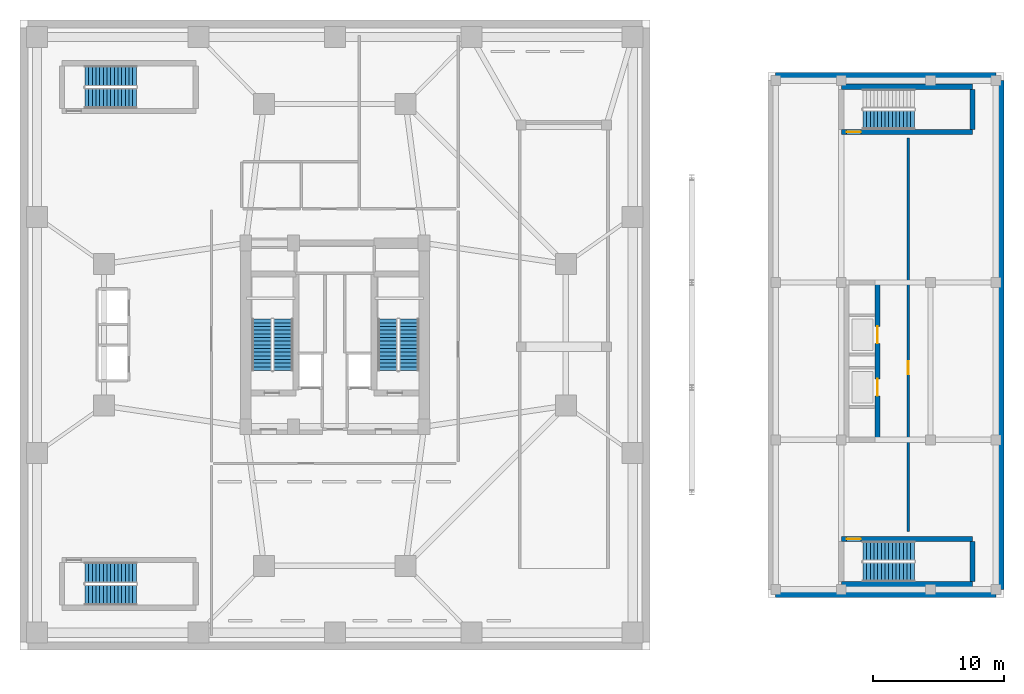
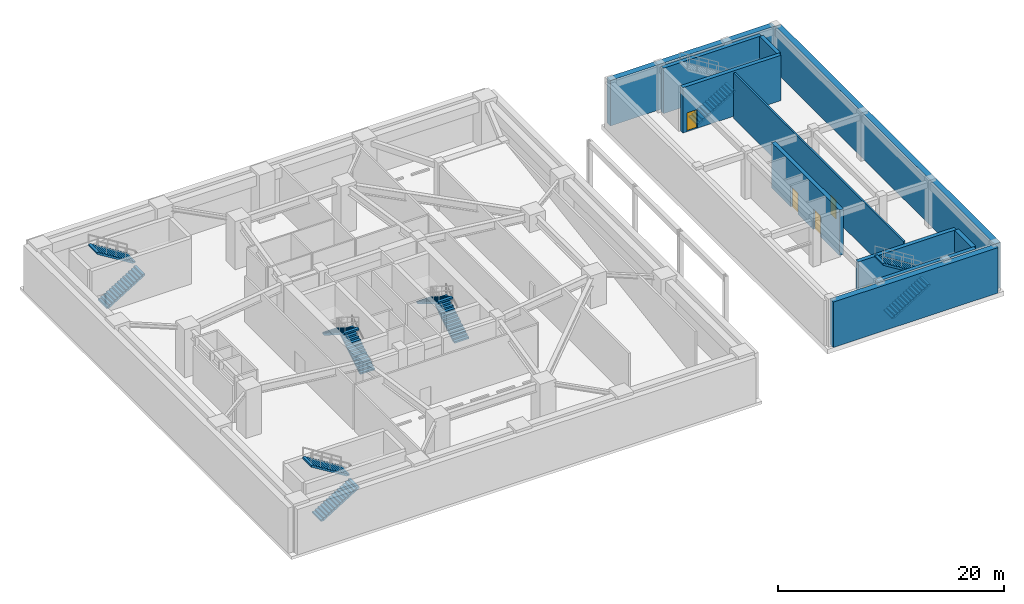
# One storey, part 7 of 13: 11 stair flights, 11 walls, 5 doors, 5 openings, 6 elements without a shape of their own.
"""IFC4 building model written with IfcOpenShell, lengths in metres."""

from ifc_helpers import new_model, si_unit, direction, frame, frame_2d, origin, place, context, subcontext, project, spatial, polyline, rectangle, outline, extrude, source, transform, mapped, material, layer, layer_set, type_object, element, fill, aggregate, save


model = new_model("IFC4")

# Units and contexts
model_context = context("Model", 3, precision=1e-05, world=origin(), true_north=direction((0.0, 1.0)))
body_context = subcontext(model_context, "Body", "Model", "MODEL_VIEW")
ifc_project = project(units=[si_unit("LENGTHUNIT", "METRE"), si_unit("AREAUNIT", "SQUARE_METRE"), si_unit("VOLUMEUNIT", "CUBIC_METRE"), si_unit("PLANEANGLEUNIT", "RADIAN"), si_unit("MASSUNIT", "GRAM", prefix="KILO")], contexts=[model_context])

# Site, building, storey
site_placement = place(None, origin())
site = spatial("IfcSite", under=ifc_project, at=site_placement, CompositionType="ELEMENT")
building_placement = place(site_placement, origin())
building = spatial("IfcBuilding", under=site, at=building_placement, Name="Veraguas Prism Commons", CompositionType="ELEMENT")
storey_placement = place(building_placement, frame((0.0, 0.0, -5.199951171875)))
storey = spatial("IfcBuildingStorey", under=building, at=storey_placement, Name="B1", CompositionType="ELEMENT", Elevation=-5.199951171875)

# Walls
ifc_material_1 = material(Name="Concrete C50/60", Category="concrete")
ifc_layer_1 = layer(ifc_material_1, 0.60009765625, Name="Basement Perimeter Retaining Wall RC 600", Category="concrete")
ifc_layer_set_1 = layer_set([ifc_layer_1], Name="Concrete C50/60")
wall_type_1 = type_object("IfcWallType", Name="Basement Perimeter Retaining Wall RC 600", PredefinedType="SOLIDWALL", material=ifc_layer_set_1)
wall_1_placement = place(storey_placement, frame((57.60009765625, 4.300048828125, 0.0), z_axis=(0.0, 0.0, 1.0), x_axis=(1.0, 0.0, 0.0)))
element("IfcWall", 1, at=wall_1_placement, inside=storey, type_object=wall_type_1, Name="Health Centre Substructure Retaining Wall B1-S", PredefinedType="SOLIDWALL", context=body_context, shape_type="SweptSolid", body=[
    extrude(rectangle(XDim=16.7998046875, YDim=0.60009765625, at=frame_2d((8.39990234375, 0.0))), origin(), (0.0, 0.0, 1.0), 4.89990234375),
])
wall_2_placement = place(storey_placement, frame((74.699951171875, 4.60009765625, 0.0), z_axis=(0.0, 0.0, 1.0), x_axis=(0.0, 1.0, 0.0)))
element("IfcWall", 2, at=wall_2_placement, inside=storey, type_object=wall_type_1, Name="Health Centre Substructure Retaining Wall B1-E", PredefinedType="SOLIDWALL", context=body_context, shape_type="SweptSolid", body=[
    extrude(rectangle(XDim=38.7998046875, YDim=0.60009765625, at=frame_2d((19.39990234375, 0.0))), origin(), (0.0, 0.0, 1.0), 4.89990234375),
])
wall_3_placement = place(storey_placement, frame((74.39990234375, 43.699951171875, 0.0), z_axis=(0.0, 0.0, 1.0), x_axis=(-1.0, 0.0, 0.0)))
element("IfcWall", 3, at=wall_3_placement, inside=storey, type_object=wall_type_1, Name="Health Centre Substructure Retaining Wall B1-N", PredefinedType="SOLIDWALL", context=body_context, shape_type="SweptSolid", body=[
    extrude(rectangle(XDim=16.7998046875, YDim=0.60009765625, at=frame_2d((8.39990234375, 0.0))), origin(), (0.0, 0.0, 1.0), 4.89990234375),
])

# Wall, openings, doors
ifc_layer_2 = layer(ifc_material_1, 0.39990234375, Name="Clinic and Mid Core Shear Wall RC 400", Category="concrete")
ifc_layer_set_2 = layer_set([ifc_layer_2], Name="Concrete C50/60")
wall_type_2 = type_object("IfcWallType", Name="Clinic and Mid Core Shear Wall RC 400", PredefinedType="SHEAR", material=ifc_layer_set_2)
wall_4_placement = place(storey_placement, frame((65.35009765625, 16.0, 0.0), z_axis=(0.0, 0.0, 1.0), x_axis=(0.0, 1.0, 0.0)))
wall_4 = element("IfcWall", 4, at=wall_4_placement, inside=storey, type_object=wall_type_2, Name="Health Centre Lift Core Front Shear Wall B1", PredefinedType="SHEAR", context=body_context, shape_type="SweptSolid", body=[
    extrude(rectangle(XDim=12.0, YDim=0.39990234375, at=frame_2d((6.0, 0.0))), origin(), (0.0, 0.0, 1.0), 4.89990234375),
])
opening_1_placement = place(wall_4_placement, frame((3.35009765625, 0.0, 0.0)))
opening_1 = element("IfcOpeningElement", 5, at=opening_1_placement, cuts=wall_4, Name="Opening LD-02", PredefinedType="OPENING", context=body_context, shape_type="SweptSolid", body=[
    extrude(rectangle(XDim=1.300048828125, YDim=2.25, at=frame_2d((0.64990234375, 1.125))), frame((0.0, 0.2099609375, 0.0), z_axis=(0.0, -1.0, 0.0), x_axis=(1.0, 0.0, 0.0)), (0.0, 0.0, 1.0), 0.419921875),
])
opening_2_placement = place(wall_4_placement, frame((7.35009765625, 0.0, 0.0)))
opening_2 = element("IfcOpeningElement", 6, at=opening_2_placement, cuts=wall_4, Name="Opening LD-02", PredefinedType="OPENING", context=body_context, shape_type="SweptSolid", body=[
    extrude(rectangle(XDim=1.300048828125, YDim=2.25, at=frame_2d((0.64990234375, 1.125))), frame((0.0, 0.2099609375, 0.0), z_axis=(0.0, -1.0, 0.0), x_axis=(1.0, 0.0, 0.0)), (0.0, 0.0, 1.0), 0.419921875),
])
ifc_material_2 = material(Name="Stainless steel AISI 316", Category="steel")
door_type_1 = type_object("IfcDoorType", Name="Firefighting Lift Sliding Landing Door 1300x2250", OperationType="NOTDEFINED", PredefinedType="DOOR", material=ifc_material_2)
shared_shape_1 = source(origin(), body_context, "Body", "SweptSolid", [
    extrude(rectangle(XDim=1.300048828125, YDim=2.25, at=frame_2d((0.64990234375, 1.125))), frame((0.0, 0.02490234375, 0.0), z_axis=(0.0, -1.0, 0.0), x_axis=(1.0, 0.0, 0.0)), (0.0, 0.0, 1.0), 0.050048828125),
])
door_1_placement = place(opening_1_placement, origin())
door_1 = element("IfcDoor", 7, at=door_1_placement, inside=storey, type_object=door_type_1, Name="Health Centre Lift CL-1 Door B1", OperationType="SLIDING_TO_LEFT", OverallHeight=2.25, OverallWidth=1.300048828125, PredefinedType="DOOR", context=body_context, shape_type="MappedRepresentation", body=[
    mapped(shared_shape_1, transform((0.0, 0.0, 0.0), scale=1.0)),
])
fill(opening_1, door_1)
door_2_placement = place(opening_2_placement, origin())
door_2 = element("IfcDoor", 8, at=door_2_placement, inside=storey, type_object=door_type_1, Name="Health Centre Lift CL-2 Door B1", OperationType="SLIDING_TO_LEFT", OverallHeight=2.25, OverallWidth=1.300048828125, PredefinedType="DOOR", context=body_context, shape_type="MappedRepresentation", body=[
    mapped(shared_shape_1, transform((0.0, 0.0, 0.0), scale=1.0)),
])
fill(opening_2, door_2)

# Wall
wall_5_placement = place(storey_placement, frame((62.60009765625, 5.0, 0.0), z_axis=(0.0, 0.0, 1.0), x_axis=(1.0, 0.0, 0.0)))
element("IfcWall", 9, at=wall_5_placement, inside=storey, type_object=wall_type_2, Name="ST-H1 South Shear Wall B1", PredefinedType="SHEAR", context=body_context, shape_type="SweptSolid", body=[
    extrude(rectangle(XDim=10.0, YDim=0.39990234375, at=frame_2d((5.0, 0.0))), origin(), (0.0, 0.0, 1.0), 4.89990234375),
])

# Wall, opening, door
wall_6_placement = place(storey_placement, frame((62.60009765625, 8.449951171875, 0.0), z_axis=(0.0, 0.0, 1.0), x_axis=(1.0, 0.0, 0.0)))
wall_6 = element("IfcWall", 10, at=wall_6_placement, inside=storey, type_object=wall_type_2, Name="ST-H1 North Shear Wall B1", PredefinedType="SHEAR", context=body_context, shape_type="SweptSolid", body=[
    extrude(rectangle(XDim=10.0, YDim=0.39990234375, at=frame_2d((5.0, 0.0))), origin(), (0.0, 0.0, 1.0), 4.89990234375),
])
opening_3_placement = place(wall_6_placement, frame((0.39990234375, 0.0, 0.0)))
opening_3 = element("IfcOpeningElement", 11, at=opening_3_placement, cuts=wall_6, Name="Opening DR-05", PredefinedType="OPENING", context=body_context, shape_type="SweptSolid", body=[
    extrude(rectangle(XDim=1.10009765625, YDim=2.030029296875, at=frame_2d((0.550048828125, 1.01513671875))), frame((0.0, 0.2099609375, 0.0), z_axis=(0.0, -1.0, 0.0), x_axis=(1.0, 0.0, 0.0)), (0.0, 0.0, 1.0), 0.419921875),
])
ifc_material_3 = material(Name="Steel fire-rated door assembly", Category="steel")
door_type_2 = type_object("IfcDoorType", Name="Protected Stair and Refuge Fire Door 1100x2030", OperationType="NOTDEFINED", PredefinedType="DOOR", material=ifc_material_3)
shared_shape_2 = source(origin(), body_context, "Body", "SweptSolid", [
    extrude(rectangle(XDim=1.10009765625, YDim=2.030029296875, at=frame_2d((0.550048828125, 1.01513671875))), frame((0.0, 0.02490234375, 0.0), z_axis=(0.0, -1.0, 0.0), x_axis=(1.0, 0.0, 0.0)), (0.0, 0.0, 1.0), 0.050048828125),
])
door_3_placement = place(opening_3_placement, origin())
door_3 = element("IfcDoor", 12, at=door_3_placement, inside=storey, type_object=door_type_2, Name="Health Centre Stair ST-H1 Door B1", OperationType="SINGLE_SWING_LEFT", OverallHeight=2.030029296875, OverallWidth=1.10009765625, PredefinedType="DOOR", context=body_context, shape_type="MappedRepresentation", body=[
    mapped(shared_shape_2, transform((0.0, 0.0, 0.0), scale=1.0)),
])
fill(opening_3, door_3)

# Wall
wall_7_placement = place(storey_placement, frame((72.60009765625, 5.199951171875, 0.0), z_axis=(0.0, 0.0, 1.0), x_axis=(0.0, 1.0, 0.0)))
element("IfcWall", 13, at=wall_7_placement, inside=storey, type_object=wall_type_2, Name="ST-H1 East Shear Wall B1", PredefinedType="SHEAR", context=body_context, shape_type="SweptSolid", body=[
    extrude(rectangle(XDim=3.050048828125, YDim=0.39990234375, at=frame_2d((1.52490234375, 0.0))), origin(), (0.0, 0.0, 1.0), 4.89990234375),
])

# Wall, opening, door
wall_8_placement = place(storey_placement, frame((62.60009765625, 39.4599609375, 0.0), z_axis=(0.0, 0.0, 1.0), x_axis=(1.0, 0.0, 0.0)))
wall_8 = element("IfcWall", 14, at=wall_8_placement, inside=storey, type_object=wall_type_2, Name="ST-H2 South Shear Wall B1", PredefinedType="SHEAR", context=body_context, shape_type="SweptSolid", body=[
    extrude(rectangle(XDim=10.0, YDim=0.39990234375, at=frame_2d((5.0, 0.0))), origin(), (0.0, 0.0, 1.0), 4.89990234375),
])
opening_4_placement = place(wall_8_placement, frame((0.39990234375, 0.0, 0.0)))
opening_4 = element("IfcOpeningElement", 15, at=opening_4_placement, cuts=wall_8, Name="Opening DR-05", PredefinedType="OPENING", context=body_context, shape_type="SweptSolid", body=[
    extrude(rectangle(XDim=1.10009765625, YDim=2.030029296875, at=frame_2d((0.550048828125, 1.01513671875))), frame((0.0, 0.2099609375, 0.0), z_axis=(0.0, -1.0, 0.0), x_axis=(1.0, 0.0, 0.0)), (0.0, 0.0, 1.0), 0.419921875),
])
door_4_placement = place(opening_4_placement, origin())
door_4 = element("IfcDoor", 16, at=door_4_placement, inside=storey, type_object=door_type_2, Name="Health Centre Stair ST-H2 Door B1", OperationType="SINGLE_SWING_RIGHT", OverallHeight=2.030029296875, OverallWidth=1.10009765625, PredefinedType="DOOR", context=body_context, shape_type="MappedRepresentation", body=[
    mapped(shared_shape_2, transform((0.0, 0.0, 0.0), scale=1.0)),
])
fill(opening_4, door_4)

# Walls
wall_9_placement = place(storey_placement, frame((62.60009765625, 42.909912109375, 0.0), z_axis=(0.0, 0.0, 1.0), x_axis=(1.0, 0.0, 0.0)))
element("IfcWall", 17, at=wall_9_placement, inside=storey, type_object=wall_type_2, Name="ST-H2 North Shear Wall B1", PredefinedType="SHEAR", context=body_context, shape_type="SweptSolid", body=[
    extrude(rectangle(XDim=10.0, YDim=0.39990234375, at=frame_2d((5.0, 0.0))), origin(), (0.0, 0.0, 1.0), 4.89990234375),
])
wall_10_placement = place(storey_placement, frame((72.60009765625, 39.659912109375, 0.0), z_axis=(0.0, 0.0, 1.0), x_axis=(0.0, 1.0, 0.0)))
element("IfcWall", 18, at=wall_10_placement, inside=storey, type_object=wall_type_2, Name="ST-H2 East Shear Wall B1", PredefinedType="SHEAR", context=body_context, shape_type="SweptSolid", body=[
    extrude(rectangle(XDim=3.050048828125, YDim=0.39990234375, at=frame_2d((1.52490234375, 0.0))), origin(), (0.0, 0.0, 1.0), 4.89990234375),
])

# Wall, opening, door
ifc_material_4 = material(Name="Autoclaved aerated masonry block 10 MPa", Category="masonry")
ifc_layer_3 = layer(ifc_material_4, 0.179931640625, Name="Corridor and Inter-Tenancy Partition 180", Category="masonry")
ifc_layer_set_3 = layer_set([ifc_layer_3], Name="Autoclaved aerated masonry block 10 MPa")
wall_type_3 = type_object("IfcWallType", Name="Corridor and Inter-Tenancy Partition 180", PredefinedType="PARTITIONING", material=ifc_layer_set_3)
wall_11_placement = place(storey_placement, frame((67.699951171875, 9.0, 0.0), z_axis=(0.0, 0.0, 1.0), x_axis=(0.0, 1.0, 0.0)))
wall_11 = element("IfcWall", 19, at=wall_11_placement, inside=storey, type_object=wall_type_3, Name="WL-B1-HCPT1", PredefinedType="PARTITIONING", context=body_context, shape_type="SweptSolid", body=[
    extrude(rectangle(XDim=30.0, YDim=0.179931640625, at=frame_2d((15.0, 0.0))), origin(), (0.0, 0.0, 1.0), 4.89990234375),
])
opening_5_placement = place(wall_11_placement, frame((12.0, 0.0, 0.0)))
opening_5 = element("IfcOpeningElement", 20, at=opening_5_placement, cuts=wall_11, Name="Opening DR-13", PredefinedType="OPENING", context=body_context, shape_type="SweptSolid", body=[
    extrude(rectangle(XDim=1.0, YDim=2.010009765625, at=frame_2d((0.5, 1.0048828125))), frame((0.0, 0.099853515625, 0.0), z_axis=(0.0, -1.0, 0.0), x_axis=(1.0, 0.0, 0.0)), (0.0, 0.0, 1.0), 0.199951171875),
])
door_type_3 = type_object("IfcDoorType", Name="Core Accessible WC and Clinic Fire Door 1000x2010", OperationType="NOTDEFINED", PredefinedType="DOOR", material=ifc_material_3)
shared_shape_3 = source(origin(), body_context, "Body", "SweptSolid", [
    extrude(rectangle(XDim=1.0, YDim=2.010009765625, at=frame_2d((0.5, 1.0048828125))), frame((0.0, 0.02490234375, 0.0), z_axis=(0.0, -1.0, 0.0), x_axis=(1.0, 0.0, 0.0)), (0.0, 0.0, 1.0), 0.050048828125),
])
door_5_placement = place(opening_5_placement, origin())
door_5 = element("IfcDoor", 21, at=door_5_placement, inside=storey, type_object=door_type_3, Name="Sterile Supply Store Door B1", OperationType="SINGLE_SWING_LEFT", OverallHeight=2.010009765625, OverallWidth=1.0, PredefinedType="DOOR", context=body_context, shape_type="MappedRepresentation", body=[
    mapped(shared_shape_3, transform((0.0, 0.0, 0.0), scale=1.0)),
])
fill(opening_5, door_5)

# Stair, stair flights
ifc_material_5 = material(Name="Precast concrete C45/55", Category="concrete")
stair_type_1 = type_object("IfcStairType", Name="Dogleg Core Stair 1450W 30R 13", PredefinedType="HALF_TURN_STAIR", material=ifc_material_5)
stair_1_placement = place(storey_placement, origin())
stair_1 = element("IfcStair", 22, at=stair_1_placement, inside=storey, type_object=stair_type_1, Name="Protected Exit Stair ST-H1 B1", PredefinedType="HALF_TURN_STAIR")
stair_flight_type_1 = type_object("IfcStairFlightType", Name="Precast Stair Flight 1450W 15R 13", PredefinedType="STRAIGHT", material=ifc_material_5)
stair_flight_1_placement = place(storey_placement, frame((64.25, 5.925048828125, 0.0), z_axis=(0.0, 0.0, 1.0), x_axis=(1.0, 0.0, 0.0)))
stair_flight_1 = element("IfcStairFlight", 23, at=stair_flight_1_placement, type_object=stair_flight_type_1, Name="ST-13 Flight 1", NumberOfRisers=15, NumberOfTreads=14, PredefinedType="STRAIGHT", RiserHeight=0.173333333, TreadLength=0.28, context=body_context, shape_type="SweptSolid", body=[
    extrude(outline(polyline([(0.0, 0.0), (0.0, 0.17333984375), (0.280029296875, 0.17333984375), (0.280029296875, 0.3466796875), (0.56005859375, 0.3466796875), (0.56005859375, 0.52001953125), (0.840087890625, 0.52001953125), (0.840087890625, 0.693359375), (1.1201171875, 0.693359375), (1.1201171875, 0.86669921875), (1.39990234375, 0.86669921875), (1.39990234375, 1.0400390625), (1.679931640625, 1.0400390625), (1.679931640625, 1.21337890625), (1.9599609375, 1.21337890625), (1.9599609375, 1.38671875), (2.239990234375, 1.38671875), (2.239990234375, 1.56005859375), (2.52001953125, 1.56005859375), (2.52001953125, 1.7333984375), (2.800048828125, 1.7333984375), (2.800048828125, 1.90673828125), (3.080078125, 1.90673828125), (3.080078125, 2.080078125), (3.360107421875, 2.080078125), (3.360107421875, 2.25341796875), (3.639892578125, 2.25341796875), (3.639892578125, 2.4267578125), (3.919921875, 2.4267578125), (3.919921875, 2.60009765625), (3.919921875, 2.250244140625), (0.284912109375, 0.0), (0.0, 0.0)])), frame((0.0, 0.72509765625, 0.0), z_axis=(0.0, -1.0, 0.0), x_axis=(1.0, 0.0, 0.0)), (0.0, 0.0, 1.0), 1.449951171875),
])
stair_flight_2_placement = place(storey_placement, frame((68.169921875, 7.52490234375, 2.599853515625), z_axis=(0.0, 0.0, 1.0), x_axis=(-1.0, 0.0, 0.0)))
stair_flight_2 = element("IfcStairFlight", 24, at=stair_flight_2_placement, type_object=stair_flight_type_1, Name="ST-13 Flight 2", NumberOfRisers=15, NumberOfTreads=14, PredefinedType="STRAIGHT", RiserHeight=0.173333333, TreadLength=0.28, context=body_context, shape_type="SweptSolid", body=[
    extrude(outline(polyline([(0.0, 0.0), (0.0, 0.17333984375), (0.280029296875, 0.17333984375), (0.280029296875, 0.3466796875), (0.56005859375, 0.3466796875), (0.56005859375, 0.52001953125), (0.840087890625, 0.52001953125), (0.840087890625, 0.693359375), (1.1201171875, 0.693359375), (1.1201171875, 0.86669921875), (1.39990234375, 0.86669921875), (1.39990234375, 1.0400390625), (1.679931640625, 1.0400390625), (1.679931640625, 1.21337890625), (1.9599609375, 1.21337890625), (1.9599609375, 1.38671875), (2.239990234375, 1.38671875), (2.239990234375, 1.56005859375), (2.52001953125, 1.56005859375), (2.52001953125, 1.7333984375), (2.800048828125, 1.7333984375), (2.800048828125, 1.90673828125), (3.080078125, 1.90673828125), (3.080078125, 2.080078125), (3.360107421875, 2.080078125), (3.360107421875, 2.25341796875), (3.639892578125, 2.25341796875), (3.639892578125, 2.4267578125), (3.919921875, 2.4267578125), (3.919921875, 2.60009765625), (3.919921875, 2.250244140625), (0.284912109375, 0.0), (0.0, 0.0)])), frame((0.0, 0.72509765625, 0.0), z_axis=(0.0, -1.0, 0.0), x_axis=(1.0, 0.0, 0.0)), (0.0, 0.0, 1.0), 1.449951171875),
])
aggregate(stair_1, [stair_flight_1, stair_flight_2])

# Stair, stair flight
stair_2_placement = place(storey_placement, origin())
stair_2 = element("IfcStair", 25, at=stair_2_placement, inside=storey, type_object=stair_type_1, Name="Protected Exit Stair ST-H2 B1", PredefinedType="HALF_TURN_STAIR")
stair_flight_3_placement = place(storey_placement, frame((64.25, 40.385009765625, 0.0), z_axis=(0.0, 0.0, 1.0), x_axis=(1.0, 0.0, 0.0)))
stair_flight_3 = element("IfcStairFlight", 26, at=stair_flight_3_placement, type_object=stair_flight_type_1, Name="ST-13 Flight 1", NumberOfRisers=15, NumberOfTreads=14, PredefinedType="STRAIGHT", RiserHeight=0.173333333, TreadLength=0.28, context=body_context, shape_type="SweptSolid", body=[
    extrude(outline(polyline([(0.0, 0.0), (0.0, 0.17333984375), (0.280029296875, 0.17333984375), (0.280029296875, 0.3466796875), (0.56005859375, 0.3466796875), (0.56005859375, 0.52001953125), (0.840087890625, 0.52001953125), (0.840087890625, 0.693359375), (1.1201171875, 0.693359375), (1.1201171875, 0.86669921875), (1.39990234375, 0.86669921875), (1.39990234375, 1.0400390625), (1.679931640625, 1.0400390625), (1.679931640625, 1.21337890625), (1.9599609375, 1.21337890625), (1.9599609375, 1.38671875), (2.239990234375, 1.38671875), (2.239990234375, 1.56005859375), (2.52001953125, 1.56005859375), (2.52001953125, 1.7333984375), (2.800048828125, 1.7333984375), (2.800048828125, 1.90673828125), (3.080078125, 1.90673828125), (3.080078125, 2.080078125), (3.360107421875, 2.080078125), (3.360107421875, 2.25341796875), (3.639892578125, 2.25341796875), (3.639892578125, 2.4267578125), (3.919921875, 2.4267578125), (3.919921875, 2.60009765625), (3.919921875, 2.250244140625), (0.284912109375, 0.0), (0.0, 0.0)])), frame((0.0, 0.72509765625, 0.0), z_axis=(0.0, -1.0, 0.0), x_axis=(1.0, 0.0, 0.0)), (0.0, 0.0, 1.0), 1.449951171875),
])
aggregate(stair_2, [stair_flight_3])

# Stair, stair flights
stair_type_2 = type_object("IfcStairType", Name="Dogleg Core Stair 1480W 30R 02", PredefinedType="HALF_TURN_STAIR", material=ifc_material_5)
stair_3_placement = place(storey_placement, origin())
stair_3 = element("IfcStair", 27, at=stair_3_placement, inside=storey, type_object=stair_type_2, Name="Protected Exit Stair ST-01 B1", PredefinedType="HALF_TURN_STAIR")
stair_flight_type_2 = type_object("IfcStairFlightType", Name="Precast Stair Flight 1480W 15R 02", PredefinedType="STRAIGHT", material=ifc_material_5)
stair_flight_4_placement = place(storey_placement, frame((20.06005859375, 21.280029296875, 0.0), z_axis=(0.0, 0.0, 1.0), x_axis=(0.0, 1.0, 0.0)))
stair_flight_4 = element("IfcStairFlight", 28, at=stair_flight_4_placement, type_object=stair_flight_type_2, Name="ST-02 Flight 1", NumberOfRisers=15, NumberOfTreads=14, PredefinedType="STRAIGHT", RiserHeight=0.173333333, TreadLength=0.28, context=body_context, shape_type="SweptSolid", body=[
    extrude(outline(polyline([(0.0, 0.0), (0.0, 0.17333984375), (0.280029296875, 0.17333984375), (0.280029296875, 0.3466796875), (0.56005859375, 0.3466796875), (0.56005859375, 0.52001953125), (0.840087890625, 0.52001953125), (0.840087890625, 0.693359375), (1.1201171875, 0.693359375), (1.1201171875, 0.86669921875), (1.39990234375, 0.86669921875), (1.39990234375, 1.0400390625), (1.679931640625, 1.0400390625), (1.679931640625, 1.21337890625), (1.9599609375, 1.21337890625), (1.9599609375, 1.38671875), (2.239990234375, 1.38671875), (2.239990234375, 1.56005859375), (2.52001953125, 1.56005859375), (2.52001953125, 1.7333984375), (2.800048828125, 1.7333984375), (2.800048828125, 1.90673828125), (3.080078125, 1.90673828125), (3.080078125, 2.080078125), (3.360107421875, 2.080078125), (3.360107421875, 2.25341796875), (3.639892578125, 2.25341796875), (3.639892578125, 2.4267578125), (3.919921875, 2.4267578125), (3.919921875, 2.60009765625), (3.919921875, 2.250244140625), (0.284912109375, 0.0), (0.0, 0.0)])), frame((0.0, 0.739990234375, 0.0), z_axis=(0.0, -1.0, 0.0), x_axis=(1.0, 0.0, 0.0)), (0.0, 0.0, 1.0), 1.47998046875),
])
stair_flight_5_placement = place(storey_placement, frame((18.429931640625, 25.199951171875, 2.599853515625), z_axis=(0.0, 0.0, 1.0), x_axis=(0.0, -1.0, 0.0)))
stair_flight_5 = element("IfcStairFlight", 29, at=stair_flight_5_placement, type_object=stair_flight_type_2, Name="ST-02 Flight 2", NumberOfRisers=15, NumberOfTreads=14, PredefinedType="STRAIGHT", RiserHeight=0.173333333, TreadLength=0.28, context=body_context, shape_type="SweptSolid", body=[
    extrude(outline(polyline([(0.0, 0.0), (0.0, 0.17333984375), (0.280029296875, 0.17333984375), (0.280029296875, 0.3466796875), (0.56005859375, 0.3466796875), (0.56005859375, 0.52001953125), (0.840087890625, 0.52001953125), (0.840087890625, 0.693359375), (1.1201171875, 0.693359375), (1.1201171875, 0.86669921875), (1.39990234375, 0.86669921875), (1.39990234375, 1.0400390625), (1.679931640625, 1.0400390625), (1.679931640625, 1.21337890625), (1.9599609375, 1.21337890625), (1.9599609375, 1.38671875), (2.239990234375, 1.38671875), (2.239990234375, 1.56005859375), (2.52001953125, 1.56005859375), (2.52001953125, 1.7333984375), (2.800048828125, 1.7333984375), (2.800048828125, 1.90673828125), (3.080078125, 1.90673828125), (3.080078125, 2.080078125), (3.360107421875, 2.080078125), (3.360107421875, 2.25341796875), (3.639892578125, 2.25341796875), (3.639892578125, 2.4267578125), (3.919921875, 2.4267578125), (3.919921875, 2.60009765625), (3.919921875, 2.250244140625), (0.284912109375, 0.0), (0.0, 0.0)])), frame((0.0, 0.739990234375, 0.0), z_axis=(0.0, -1.0, 0.0), x_axis=(1.0, 0.0, 0.0)), (0.0, 0.0, 1.0), 1.47998046875),
])
aggregate(stair_3, [stair_flight_4, stair_flight_5])

stair_4_placement = place(storey_placement, origin())
stair_4 = element("IfcStair", 30, at=stair_4_placement, inside=storey, type_object=stair_type_2, Name="Protected Exit Stair ST-02 B1", PredefinedType="HALF_TURN_STAIR")
stair_flight_6_placement = place(storey_placement, frame((29.659912109375, 21.280029296875, 0.0), z_axis=(0.0, 0.0, 1.0), x_axis=(0.0, 1.0, 0.0)))
stair_flight_6 = element("IfcStairFlight", 31, at=stair_flight_6_placement, type_object=stair_flight_type_2, Name="ST-02 Flight 1", NumberOfRisers=15, NumberOfTreads=14, PredefinedType="STRAIGHT", RiserHeight=0.173333333, TreadLength=0.28, context=body_context, shape_type="SweptSolid", body=[
    extrude(outline(polyline([(0.0, 0.0), (0.0, 0.17333984375), (0.280029296875, 0.17333984375), (0.280029296875, 0.3466796875), (0.56005859375, 0.3466796875), (0.56005859375, 0.52001953125), (0.840087890625, 0.52001953125), (0.840087890625, 0.693359375), (1.1201171875, 0.693359375), (1.1201171875, 0.86669921875), (1.39990234375, 0.86669921875), (1.39990234375, 1.0400390625), (1.679931640625, 1.0400390625), (1.679931640625, 1.21337890625), (1.9599609375, 1.21337890625), (1.9599609375, 1.38671875), (2.239990234375, 1.38671875), (2.239990234375, 1.56005859375), (2.52001953125, 1.56005859375), (2.52001953125, 1.7333984375), (2.800048828125, 1.7333984375), (2.800048828125, 1.90673828125), (3.080078125, 1.90673828125), (3.080078125, 2.080078125), (3.360107421875, 2.080078125), (3.360107421875, 2.25341796875), (3.639892578125, 2.25341796875), (3.639892578125, 2.4267578125), (3.919921875, 2.4267578125), (3.919921875, 2.60009765625), (3.919921875, 2.250244140625), (0.284912109375, 0.0), (0.0, 0.0)])), frame((0.0, 0.739990234375, 0.0), z_axis=(0.0, -1.0, 0.0), x_axis=(1.0, 0.0, 0.0)), (0.0, 0.0, 1.0), 1.47998046875),
])
stair_flight_7_placement = place(storey_placement, frame((28.030029296875, 25.199951171875, 2.599853515625), z_axis=(0.0, 0.0, 1.0), x_axis=(0.0, -1.0, 0.0)))
stair_flight_7 = element("IfcStairFlight", 32, at=stair_flight_7_placement, type_object=stair_flight_type_2, Name="ST-02 Flight 2", NumberOfRisers=15, NumberOfTreads=14, PredefinedType="STRAIGHT", RiserHeight=0.173333333, TreadLength=0.28, context=body_context, shape_type="SweptSolid", body=[
    extrude(outline(polyline([(0.0, 0.0), (0.0, 0.17333984375), (0.280029296875, 0.17333984375), (0.280029296875, 0.3466796875), (0.56005859375, 0.3466796875), (0.56005859375, 0.52001953125), (0.840087890625, 0.52001953125), (0.840087890625, 0.693359375), (1.1201171875, 0.693359375), (1.1201171875, 0.86669921875), (1.39990234375, 0.86669921875), (1.39990234375, 1.0400390625), (1.679931640625, 1.0400390625), (1.679931640625, 1.21337890625), (1.9599609375, 1.21337890625), (1.9599609375, 1.38671875), (2.239990234375, 1.38671875), (2.239990234375, 1.56005859375), (2.52001953125, 1.56005859375), (2.52001953125, 1.7333984375), (2.800048828125, 1.7333984375), (2.800048828125, 1.90673828125), (3.080078125, 1.90673828125), (3.080078125, 2.080078125), (3.360107421875, 2.080078125), (3.360107421875, 2.25341796875), (3.639892578125, 2.25341796875), (3.639892578125, 2.4267578125), (3.919921875, 2.4267578125), (3.919921875, 2.60009765625), (3.919921875, 2.250244140625), (0.284912109375, 0.0), (0.0, 0.0)])), frame((0.0, 0.739990234375, 0.0), z_axis=(0.0, -1.0, 0.0), x_axis=(1.0, 0.0, 0.0)), (0.0, 0.0, 1.0), 1.47998046875),
])
aggregate(stair_4, [stair_flight_6, stair_flight_7])

stair_type_3 = type_object("IfcStairType", Name="Dogleg Core Stair 1550W 30R 10", PredefinedType="HALF_TURN_STAIR", material=ifc_material_5)
stair_5_placement = place(storey_placement, origin())
stair_5 = element("IfcStair", 33, at=stair_5_placement, inside=storey, type_object=stair_type_3, Name="Protected Exit Stair ST-M1 B1", PredefinedType="HALF_TURN_STAIR")
stair_flight_type_3 = type_object("IfcStairFlightType", Name="Precast Stair Flight 1550W 15R 10", PredefinedType="STRAIGHT", material=ifc_material_5)
stair_flight_8_placement = place(storey_placement, frame((4.949951171875, 4.175048828125, 0.0), z_axis=(0.0, 0.0, 1.0), x_axis=(1.0, 0.0, 0.0)))
stair_flight_8 = element("IfcStairFlight", 34, at=stair_flight_8_placement, type_object=stair_flight_type_3, Name="ST-10 Flight 1", NumberOfRisers=15, NumberOfTreads=14, PredefinedType="STRAIGHT", RiserHeight=0.173333333, TreadLength=0.28, context=body_context, shape_type="SweptSolid", body=[
    extrude(outline(polyline([(0.0, 0.0), (0.0, 0.17333984375), (0.280029296875, 0.17333984375), (0.280029296875, 0.3466796875), (0.56005859375, 0.3466796875), (0.56005859375, 0.52001953125), (0.840087890625, 0.52001953125), (0.840087890625, 0.693359375), (1.1201171875, 0.693359375), (1.1201171875, 0.86669921875), (1.39990234375, 0.86669921875), (1.39990234375, 1.0400390625), (1.679931640625, 1.0400390625), (1.679931640625, 1.21337890625), (1.9599609375, 1.21337890625), (1.9599609375, 1.38671875), (2.239990234375, 1.38671875), (2.239990234375, 1.56005859375), (2.52001953125, 1.56005859375), (2.52001953125, 1.7333984375), (2.800048828125, 1.7333984375), (2.800048828125, 1.90673828125), (3.080078125, 1.90673828125), (3.080078125, 2.080078125), (3.360107421875, 2.080078125), (3.360107421875, 2.25341796875), (3.639892578125, 2.25341796875), (3.639892578125, 2.4267578125), (3.919921875, 2.4267578125), (3.919921875, 2.60009765625), (3.919921875, 2.250244140625), (0.284912109375, 0.0), (0.0, 0.0)])), frame((0.0, 0.77490234375, 0.0), z_axis=(0.0, -1.0, 0.0), x_axis=(1.0, 0.0, 0.0)), (0.0, 0.0, 1.0), 1.550048828125),
])
stair_flight_9_placement = place(storey_placement, frame((8.8701171875, 5.875, 2.599853515625), z_axis=(0.0, 0.0, 1.0), x_axis=(-1.0, 0.0, 0.0)))
stair_flight_9 = element("IfcStairFlight", 35, at=stair_flight_9_placement, type_object=stair_flight_type_3, Name="ST-10 Flight 2", NumberOfRisers=15, NumberOfTreads=14, PredefinedType="STRAIGHT", RiserHeight=0.173333333, TreadLength=0.28, context=body_context, shape_type="SweptSolid", body=[
    extrude(outline(polyline([(0.0, 0.0), (0.0, 0.17333984375), (0.280029296875, 0.17333984375), (0.280029296875, 0.3466796875), (0.56005859375, 0.3466796875), (0.56005859375, 0.52001953125), (0.840087890625, 0.52001953125), (0.840087890625, 0.693359375), (1.1201171875, 0.693359375), (1.1201171875, 0.86669921875), (1.39990234375, 0.86669921875), (1.39990234375, 1.0400390625), (1.679931640625, 1.0400390625), (1.679931640625, 1.21337890625), (1.9599609375, 1.21337890625), (1.9599609375, 1.38671875), (2.239990234375, 1.38671875), (2.239990234375, 1.56005859375), (2.52001953125, 1.56005859375), (2.52001953125, 1.7333984375), (2.800048828125, 1.7333984375), (2.800048828125, 1.90673828125), (3.080078125, 1.90673828125), (3.080078125, 2.080078125), (3.360107421875, 2.080078125), (3.360107421875, 2.25341796875), (3.639892578125, 2.25341796875), (3.639892578125, 2.4267578125), (3.919921875, 2.4267578125), (3.919921875, 2.60009765625), (3.919921875, 2.250244140625), (0.284912109375, 0.0), (0.0, 0.0)])), frame((0.0, 0.77490234375, 0.0), z_axis=(0.0, -1.0, 0.0), x_axis=(1.0, 0.0, 0.0)), (0.0, 0.0, 1.0), 1.550048828125),
])
aggregate(stair_5, [stair_flight_8, stair_flight_9])

stair_6_placement = place(storey_placement, origin())
stair_6 = element("IfcStair", 36, at=stair_6_placement, inside=storey, type_object=stair_type_3, Name="Protected Exit Stair ST-M2 B1", PredefinedType="HALF_TURN_STAIR")
stair_flight_10_placement = place(storey_placement, frame((4.949951171875, 42.034912109375, 0.0), z_axis=(0.0, 0.0, 1.0), x_axis=(1.0, 0.0, 0.0)))
stair_flight_10 = element("IfcStairFlight", 37, at=stair_flight_10_placement, type_object=stair_flight_type_3, Name="ST-10 Flight 1", NumberOfRisers=15, NumberOfTreads=14, PredefinedType="STRAIGHT", RiserHeight=0.173333333, TreadLength=0.28, context=body_context, shape_type="SweptSolid", body=[
    extrude(outline(polyline([(0.0, 0.0), (0.0, 0.17333984375), (0.280029296875, 0.17333984375), (0.280029296875, 0.3466796875), (0.56005859375, 0.3466796875), (0.56005859375, 0.52001953125), (0.840087890625, 0.52001953125), (0.840087890625, 0.693359375), (1.1201171875, 0.693359375), (1.1201171875, 0.86669921875), (1.39990234375, 0.86669921875), (1.39990234375, 1.0400390625), (1.679931640625, 1.0400390625), (1.679931640625, 1.21337890625), (1.9599609375, 1.21337890625), (1.9599609375, 1.38671875), (2.239990234375, 1.38671875), (2.239990234375, 1.56005859375), (2.52001953125, 1.56005859375), (2.52001953125, 1.7333984375), (2.800048828125, 1.7333984375), (2.800048828125, 1.90673828125), (3.080078125, 1.90673828125), (3.080078125, 2.080078125), (3.360107421875, 2.080078125), (3.360107421875, 2.25341796875), (3.639892578125, 2.25341796875), (3.639892578125, 2.4267578125), (3.919921875, 2.4267578125), (3.919921875, 2.60009765625), (3.919921875, 2.250244140625), (0.284912109375, 0.0), (0.0, 0.0)])), frame((0.0, 0.77490234375, 0.0), z_axis=(0.0, -1.0, 0.0), x_axis=(1.0, 0.0, 0.0)), (0.0, 0.0, 1.0), 1.550048828125),
])
stair_flight_11_placement = place(storey_placement, frame((8.8701171875, 43.735107421875, 2.599853515625), z_axis=(0.0, 0.0, 1.0), x_axis=(-1.0, 0.0, 0.0)))
stair_flight_11 = element("IfcStairFlight", 38, at=stair_flight_11_placement, type_object=stair_flight_type_3, Name="ST-10 Flight 2", NumberOfRisers=15, NumberOfTreads=14, PredefinedType="STRAIGHT", RiserHeight=0.173333333, TreadLength=0.28, context=body_context, shape_type="SweptSolid", body=[
    extrude(outline(polyline([(0.0, 0.0), (0.0, 0.17333984375), (0.280029296875, 0.17333984375), (0.280029296875, 0.3466796875), (0.56005859375, 0.3466796875), (0.56005859375, 0.52001953125), (0.840087890625, 0.52001953125), (0.840087890625, 0.693359375), (1.1201171875, 0.693359375), (1.1201171875, 0.86669921875), (1.39990234375, 0.86669921875), (1.39990234375, 1.0400390625), (1.679931640625, 1.0400390625), (1.679931640625, 1.21337890625), (1.9599609375, 1.21337890625), (1.9599609375, 1.38671875), (2.239990234375, 1.38671875), (2.239990234375, 1.56005859375), (2.52001953125, 1.56005859375), (2.52001953125, 1.7333984375), (2.800048828125, 1.7333984375), (2.800048828125, 1.90673828125), (3.080078125, 1.90673828125), (3.080078125, 2.080078125), (3.360107421875, 2.080078125), (3.360107421875, 2.25341796875), (3.639892578125, 2.25341796875), (3.639892578125, 2.4267578125), (3.919921875, 2.4267578125), (3.919921875, 2.60009765625), (3.919921875, 2.250244140625), (0.284912109375, 0.0), (0.0, 0.0)])), frame((0.0, 0.77490234375, 0.0), z_axis=(0.0, -1.0, 0.0), x_axis=(1.0, 0.0, 0.0)), (0.0, 0.0, 1.0), 1.550048828125),
])
aggregate(stair_6, [stair_flight_10, stair_flight_11])

save(model, "model.ifc")
